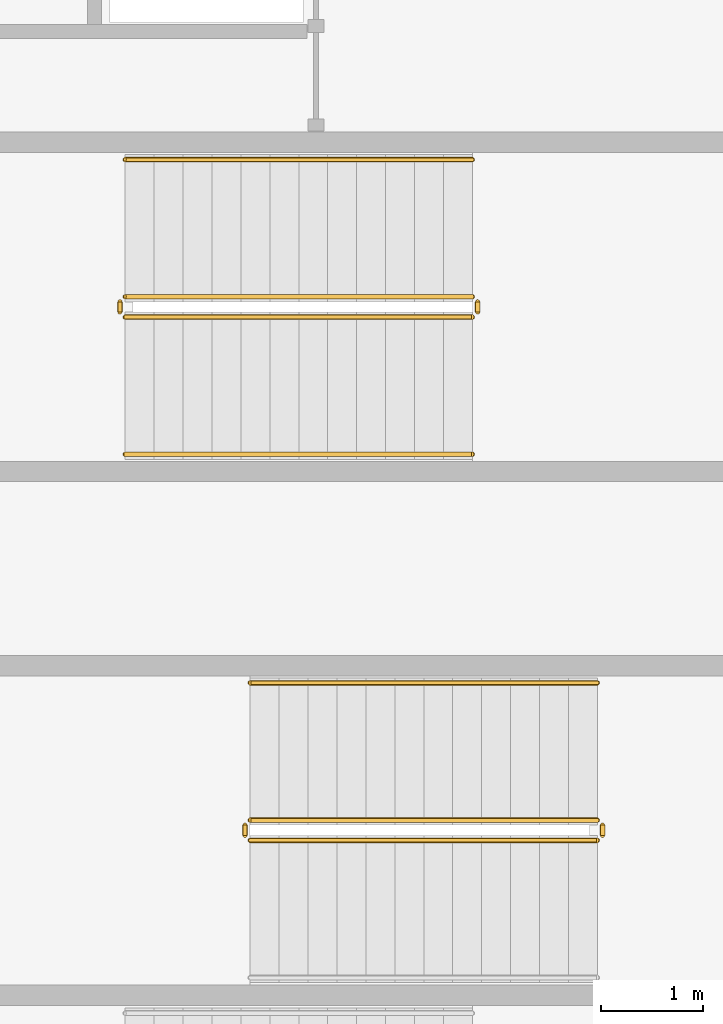
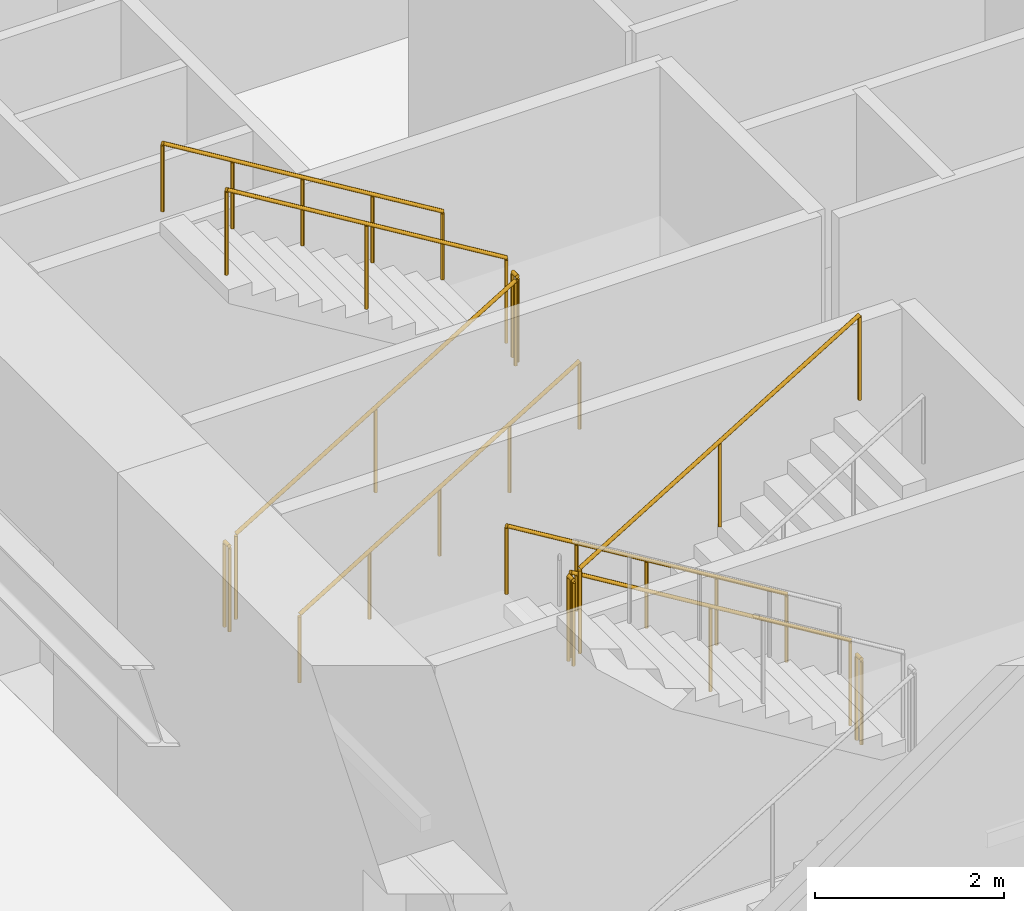
# One storey, part 29 of 32: 11 railings.
"""IFC4 building model written with IfcOpenShell, lengths in metres."""

from ifc_helpers import new_model, si_unit, direction, frame, origin, origin_2d, place, context, subcontext, project, spatial, circle, extrude, material, type_object, element, save


model = new_model("IFC4")

# Units and contexts
model_context = context("Model", 3, precision=1e-05, world=origin(), true_north=direction((0.0, 1.0)))
body_context = subcontext(model_context, "Body", "Model", "MODEL_VIEW")
ifc_project = project(units=[si_unit("LENGTHUNIT", "METRE"), si_unit("AREAUNIT", "SQUARE_METRE"), si_unit("VOLUMEUNIT", "CUBIC_METRE"), si_unit("PLANEANGLEUNIT", "RADIAN"), si_unit("MASSUNIT", "GRAM", prefix="KILO")], contexts=[model_context])

# Site, building, storey
site_placement = place(None, origin())
site = spatial("IfcSite", under=ifc_project, at=site_placement, CompositionType="ELEMENT")
building_placement = place(site_placement, origin())
building = spatial("IfcBuilding", under=site, at=building_placement, Name="Narakoshi Arena Tower", CompositionType="ELEMENT")
storey_placement = place(building_placement, frame((0.0, 0.0, 4.5)))
storey = spatial("IfcBuildingStorey", under=building, at=storey_placement, Name="L01", CompositionType="ELEMENT", Elevation=4.5)

# Railings
ifc_material_1 = material(Name="Clear low-iron laminated structural glass", Category="glass")
railing_type_1 = type_object("IfcRailingType", Name="RL-BAL-1100", PredefinedType="BALUSTRADE", material=ifc_material_1)
railing_1_placement = place(storey_placement, frame((79.050048828125, 40.39990234375, 0.173095703125)))
element("IfcRailing", 1, at=railing_1_placement, inside=storey, type_object=railing_type_1, Name="L01 ST2 stair guard 1", PredefinedType="BALUSTRADE", context=body_context, shape_type="SweptSolid", body=[
    extrude(circle(Radius=0.02392578125, at=origin_2d()), frame((0.0, 0.0, 1.09619140625), z_axis=(-0.854745945586, 0.0, 0.519046595696), x_axis=(0.0, -1.0, 0.0)), (0.0, 0.0, 1.0), 4.00146484375),
    extrude(circle(Radius=0.02099609375, at=origin_2d()), origin(), (0.0, 0.0, 1.0), 1.072021484375),
    extrude(circle(Radius=0.02099609375, at=origin_2d()), frame((-1.7099609375, 0.0, 1.03857421875)), (0.0, 0.0, 1.0), 1.072021484375),
    extrude(circle(Radius=0.02099609375, at=origin_2d()), frame((-3.420166015625, 0.0, 2.076904296875)), (0.0, 0.0, 1.0), 1.072021484375),
])
railing_2_placement = place(storey_placement, frame((75.580078125, 40.35009765625, 2.25)))
element("IfcRailing", 2, at=railing_2_placement, inside=storey, type_object=railing_type_1, Name="L01 ST2 stair guard 2", PredefinedType="BALUSTRADE", context=body_context, shape_type="SweptSolid", body=[
    extrude(circle(Radius=0.02392578125, at=origin_2d()), frame((0.0, 0.0, 1.09619140625), z_axis=(0.0, -1.0, 0.0), x_axis=(1.0, 0.0, 0.0)), (0.0, 0.0, 1.0), 0.10009765625),
    extrude(circle(Radius=0.02099609375, at=origin_2d()), origin(), (0.0, 0.0, 1.0), 1.072021484375),
    extrude(circle(Radius=0.02099609375, at=origin_2d()), frame((0.0, -0.10009765625, 0.0)), (0.0, 0.0, 1.0), 1.072021484375),
])
railing_3_placement = place(storey_placement, frame((75.6298828125, 40.199951171875, 2.423095703125)))
element("IfcRailing", 3, at=railing_3_placement, inside=storey, type_object=railing_type_1, Name="L01 ST2 stair guard 3", PredefinedType="BALUSTRADE", context=body_context, shape_type="SweptSolid", body=[
    extrude(circle(Radius=0.02392578125, at=origin_2d()), frame((0.0, 0.0, 1.09619140625), z_axis=(0.854745945586, 0.0, 0.519046595696), x_axis=(0.0, 1.0, 0.0)), (0.0, 0.0, 1.0), 4.00146484375),
    extrude(circle(Radius=0.02099609375, at=origin_2d()), origin(), (0.0, 0.0, 1.0), 1.072021484375),
    extrude(circle(Radius=0.02099609375, at=origin_2d()), frame((1.7099609375, 0.0, 1.03857421875)), (0.0, 0.0, 1.0), 1.072021484375),
    extrude(circle(Radius=0.02099609375, at=origin_2d()), frame((3.420166015625, 0.0, 2.076904296875)), (0.0, 0.0, 1.0), 1.072021484375),
])
railing_4_placement = place(storey_placement, frame((79.10009765625, 40.35009765625, 0.0)))
element("IfcRailing", 4, at=railing_4_placement, inside=storey, type_object=railing_type_1, Name="L01 ST2 stair guard 4", PredefinedType="BALUSTRADE", context=body_context, shape_type="SweptSolid", body=[
    extrude(circle(Radius=0.02392578125, at=origin_2d()), frame((0.0, 0.0, 1.09619140625), z_axis=(0.0, -1.0, 0.0), x_axis=(1.0, 0.0, 0.0)), (0.0, 0.0, 1.0), 0.10009765625),
    extrude(circle(Radius=0.02099609375, at=origin_2d()), origin(), (0.0, 0.0, 1.0), 1.072021484375),
    extrude(circle(Radius=0.02099609375, at=origin_2d()), frame((0.0, -0.10009765625, 0.0)), (0.0, 0.0, 1.0), 1.072021484375),
])
railing_5_placement = place(storey_placement, frame((74.39990234375, 45.35009765625, 0.173095703125)))
element("IfcRailing", 5, at=railing_5_placement, inside=storey, type_object=railing_type_1, Name="L01 ST3 stair guard 1", PredefinedType="BALUSTRADE", context=body_context, shape_type="SweptSolid", body=[
    extrude(circle(Radius=0.02392578125, at=origin_2d()), frame((0.0, 0.0, 1.09619140625), z_axis=(0.854745945586, 0.0, 0.519046595696), x_axis=(0.0, 1.0, 0.0)), (0.0, 0.0, 1.0), 4.00146484375),
    extrude(circle(Radius=0.02099609375, at=origin_2d()), origin(), (0.0, 0.0, 1.0), 1.072021484375),
    extrude(circle(Radius=0.02099609375, at=origin_2d()), frame((1.7099609375, 0.0, 1.03857421875)), (0.0, 0.0, 1.0), 1.072021484375),
    extrude(circle(Radius=0.02099609375, at=origin_2d()), frame((3.420166015625, 0.0, 2.076904296875)), (0.0, 0.0, 1.0), 1.072021484375),
])
railing_6_placement = place(storey_placement, frame((77.8701171875, 45.39990234375, 2.25)))
element("IfcRailing", 6, at=railing_6_placement, inside=storey, type_object=railing_type_1, Name="L01 ST3 stair guard 2", PredefinedType="BALUSTRADE", context=body_context, shape_type="SweptSolid", body=[
    extrude(circle(Radius=0.02392578125, at=origin_2d()), frame((0.0, 0.0, 1.09619140625), z_axis=(0.0, 1.0, 0.0), x_axis=(-1.0, 0.0, 0.0)), (0.0, 0.0, 1.0), 0.10009765625),
    extrude(circle(Radius=0.02099609375, at=origin_2d()), origin(), (0.0, 0.0, 1.0), 1.072021484375),
    extrude(circle(Radius=0.02099609375, at=origin_2d()), frame((0.0, 0.10009765625, 0.0)), (0.0, 0.0, 1.0), 1.072021484375),
])
railing_7_placement = place(storey_placement, frame((77.820068359375, 45.550048828125, 2.423095703125)))
element("IfcRailing", 7, at=railing_7_placement, inside=storey, type_object=railing_type_1, Name="L01 ST3 stair guard 3", PredefinedType="BALUSTRADE", context=body_context, shape_type="SweptSolid", body=[
    extrude(circle(Radius=0.02392578125, at=origin_2d()), frame((0.0, 0.0, 1.09619140625), z_axis=(-0.854745945586, 0.0, 0.519046595696), x_axis=(0.0, -1.0, 0.0)), (0.0, 0.0, 1.0), 4.00146484375),
    extrude(circle(Radius=0.02099609375, at=origin_2d()), origin(), (0.0, 0.0, 1.0), 1.072021484375),
    extrude(circle(Radius=0.02099609375, at=origin_2d()), frame((-1.7099609375, 0.0, 1.03857421875)), (0.0, 0.0, 1.0), 1.072021484375),
    extrude(circle(Radius=0.02099609375, at=origin_2d()), frame((-3.420166015625, 0.0, 2.076904296875)), (0.0, 0.0, 1.0), 1.072021484375),
])
railing_8_placement = place(storey_placement, frame((74.35009765625, 45.39990234375, 0.0)))
element("IfcRailing", 8, at=railing_8_placement, inside=storey, type_object=railing_type_1, Name="L01 ST3 stair guard 4", PredefinedType="BALUSTRADE", context=body_context, shape_type="SweptSolid", body=[
    extrude(circle(Radius=0.02392578125, at=origin_2d()), frame((0.0, 0.0, 1.09619140625), z_axis=(0.0, 1.0, 0.0), x_axis=(-1.0, 0.0, 0.0)), (0.0, 0.0, 1.0), 0.10009765625),
    extrude(circle(Radius=0.02099609375, at=origin_2d()), origin(), (0.0, 0.0, 1.0), 1.072021484375),
    extrude(circle(Radius=0.02099609375, at=origin_2d()), frame((0.0, 0.10009765625, 0.0)), (0.0, 0.0, 1.0), 1.072021484375),
])
ifc_material_2 = material(Name="Brushed bronze stainless steel", Category="steel")
railing_type_2 = type_object("IfcRailingType", Name="RL-HND-900", PredefinedType="HANDRAIL", material=ifc_material_2)
railing_9_placement = place(storey_placement, frame((79.050048828125, 41.75, 0.173095703125)))
element("IfcRailing", 9, at=railing_9_placement, inside=storey, type_object=railing_type_2, Name="L01 ST2 stair handrail 1", PredefinedType="HANDRAIL", context=body_context, shape_type="SweptSolid", body=[
    extrude(circle(Radius=0.02392578125, at=origin_2d()), frame((0.0, 0.0, 0.8759765625), z_axis=(-0.854745945586, 0.0, 0.519046595696), x_axis=(0.0, -1.0, 0.0)), (0.0, 0.0, 1.0), 4.00146484375),
    extrude(circle(Radius=0.02099609375, at=origin_2d()), origin(), (0.0, 0.0, 1.0), 0.851806640625),
    extrude(circle(Radius=0.02099609375, at=origin_2d()), frame((-0.85498046875, 0.0, 0.519287109375)), (0.0, 0.0, 1.0), 0.851806640625),
    extrude(circle(Radius=0.02099609375, at=origin_2d()), frame((-1.7099609375, 0.0, 1.03857421875)), (0.0, 0.0, 1.0), 0.851806640625),
    extrude(circle(Radius=0.02099609375, at=origin_2d()), frame((-2.565185546875, 0.0, 1.5576171875)), (0.0, 0.0, 1.0), 0.851806640625),
    extrude(circle(Radius=0.02099609375, at=origin_2d()), frame((-3.420166015625, 0.0, 2.076904296875)), (0.0, 0.0, 1.0), 0.851806640625),
])
railing_10_placement = place(storey_placement, frame((74.39990234375, 44.0, 0.173095703125)))
element("IfcRailing", 10, at=railing_10_placement, inside=storey, type_object=railing_type_2, Name="L01 ST3 stair handrail 1", PredefinedType="HANDRAIL", context=body_context, shape_type="SweptSolid", body=[
    extrude(circle(Radius=0.02392578125, at=origin_2d()), frame((0.0, 0.0, 0.8759765625), z_axis=(0.854745945586, 0.0, 0.519046595696), x_axis=(0.0, 1.0, 0.0)), (0.0, 0.0, 1.0), 4.00146484375),
    extrude(circle(Radius=0.02099609375, at=origin_2d()), origin(), (0.0, 0.0, 1.0), 0.851806640625),
    extrude(circle(Radius=0.02099609375, at=origin_2d()), frame((0.85498046875, 0.0, 0.519287109375)), (0.0, 0.0, 1.0), 0.851806640625),
    extrude(circle(Radius=0.02099609375, at=origin_2d()), frame((1.7099609375, 0.0, 1.03857421875)), (0.0, 0.0, 1.0), 0.851806640625),
    extrude(circle(Radius=0.02099609375, at=origin_2d()), frame((2.565185546875, 0.0, 1.5576171875)), (0.0, 0.0, 1.0), 0.851806640625),
    extrude(circle(Radius=0.02099609375, at=origin_2d()), frame((3.420166015625, 0.0, 2.076904296875)), (0.0, 0.0, 1.0), 0.851806640625),
])
railing_11_placement = place(storey_placement, frame((77.820068359375, 46.89990234375, 2.423095703125)))
element("IfcRailing", 11, at=railing_11_placement, inside=storey, type_object=railing_type_2, Name="L01 ST3 stair handrail 2", PredefinedType="HANDRAIL", context=body_context, shape_type="SweptSolid", body=[
    extrude(circle(Radius=0.02392578125, at=origin_2d()), frame((0.0, 0.0, 0.8759765625), z_axis=(-0.854745945586, 0.0, 0.519046595696), x_axis=(0.0, -1.0, 0.0)), (0.0, 0.0, 1.0), 4.00146484375),
    extrude(circle(Radius=0.02099609375, at=origin_2d()), origin(), (0.0, 0.0, 1.0), 0.851806640625),
    extrude(circle(Radius=0.02099609375, at=origin_2d()), frame((-0.85498046875, 0.0, 0.519287109375)), (0.0, 0.0, 1.0), 0.851806640625),
    extrude(circle(Radius=0.02099609375, at=origin_2d()), frame((-1.7099609375, 0.0, 1.03857421875)), (0.0, 0.0, 1.0), 0.851806640625),
    extrude(circle(Radius=0.02099609375, at=origin_2d()), frame((-2.565185546875, 0.0, 1.5576171875)), (0.0, 0.0, 1.0), 0.851806640625),
    extrude(circle(Radius=0.02099609375, at=origin_2d()), frame((-3.420166015625, 0.0, 2.076904296875)), (0.0, 0.0, 1.0), 0.851806640625),
])

save(model, "model.ifc")
